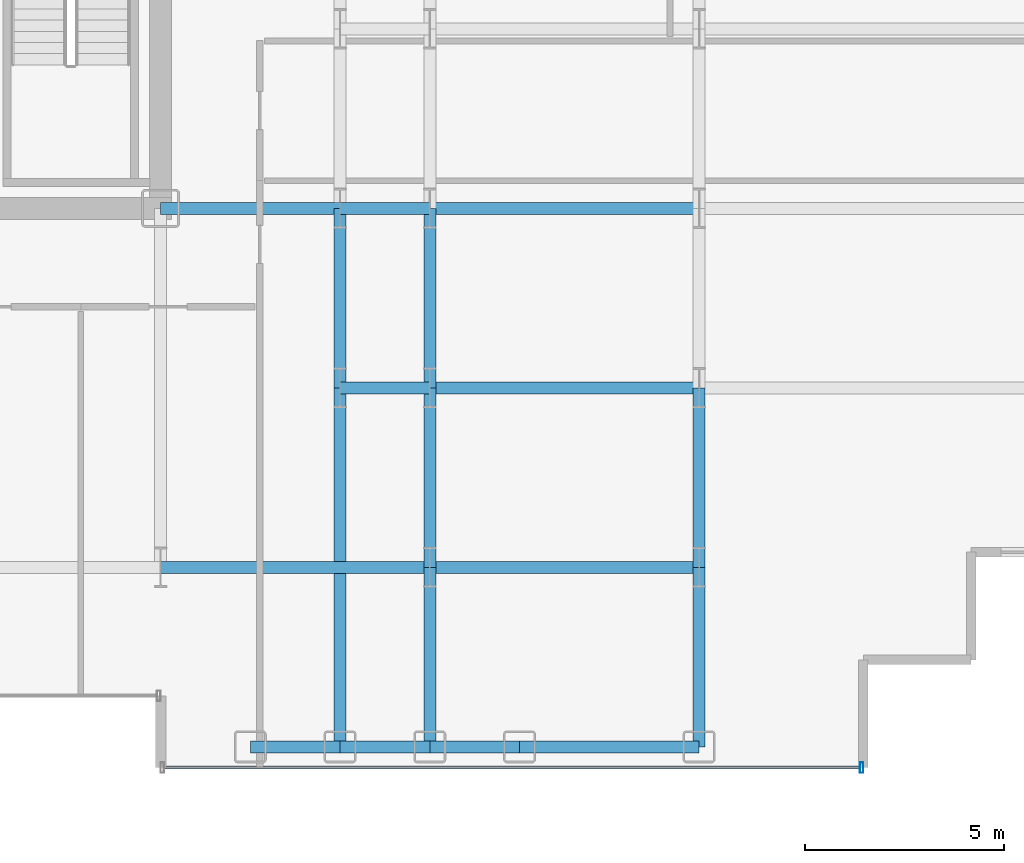
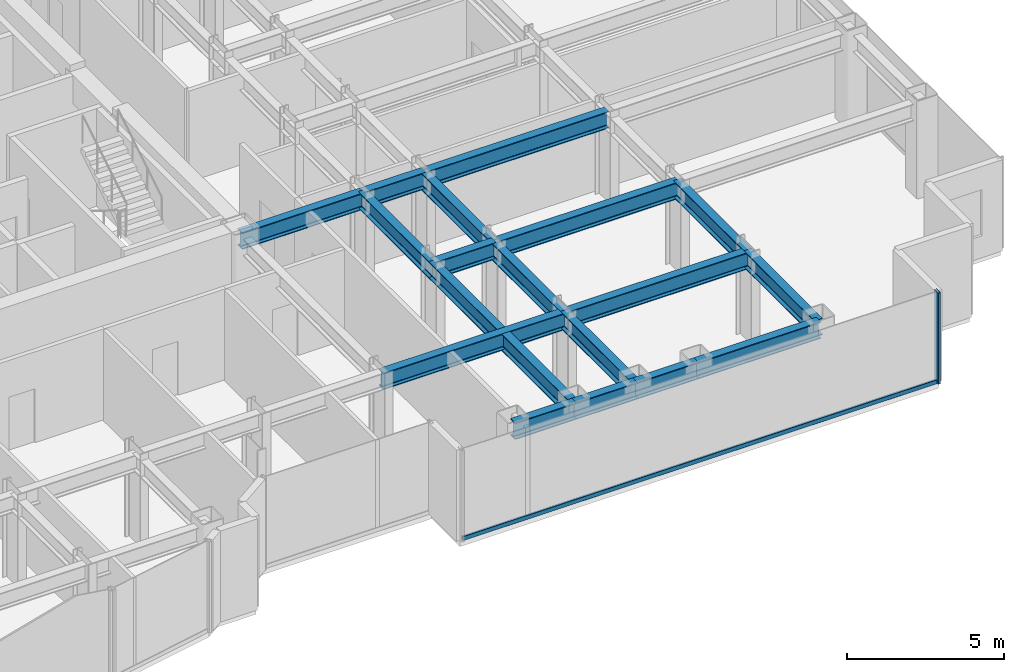
# One storey, part 7 of 26: 18 beams, 2 members, 1 element without a shape of its own.
"""IFC4 building model written with IfcOpenShell, lengths in metres."""

from ifc_helpers import new_model, si_unit, direction, frame, origin, origin_2d, place, context, subcontext, project, spatial, hollow_rectangle, i_section, extrude, source, transform, mapped, material, layer, layer_set, material_profile, profile_set, type_object, element, aggregate, save


model = new_model("IFC4")

# Units and contexts
model_context = context("Model", 3, precision=1e-05, world=origin(), true_north=direction((0.0, 1.0)))
body_context = subcontext(model_context, "Body", "Model", "MODEL_VIEW")
ifc_project = project(units=[si_unit("LENGTHUNIT", "METRE"), si_unit("AREAUNIT", "SQUARE_METRE"), si_unit("VOLUMEUNIT", "CUBIC_METRE"), si_unit("PLANEANGLEUNIT", "RADIAN"), si_unit("MASSUNIT", "GRAM", prefix="KILO")], contexts=[model_context])

# Site, building, storey
site_placement = place(None, origin())
site = spatial("IfcSite", under=ifc_project, at=site_placement, CompositionType="ELEMENT")
building_placement = place(site_placement, origin())
building = spatial("IfcBuilding", under=site, at=building_placement, Name="Nefas-Gora Pilgrimage Tower", CompositionType="ELEMENT")
storey_placement = place(building_placement, frame((0.0, 0.0, 132.60009765625)))
storey = spatial("IfcBuildingStorey", under=building, at=storey_placement, Name="L32", CompositionType="ELEMENT", Elevation=132.60009765625)

# Beams
ifc_material_1 = material(Name="Steel S355", Category="steel")
ifc_material_profile_1 = material_profile(ifc_material_1, i_section(OverallWidth=0.300048828125, OverallDepth=0.64990234375, WebThickness=0.01611328125, FlangeThickness=0.031005859375, FilletRadius=0.027099609375, at=origin_2d()), Name="HEB 650")
ifc_profile_set_1 = profile_set([ifc_material_profile_1], Name="Steel S355")
beam_type_1 = type_object("IfcBeamType", Name="BM-SPN-HEB500", PredefinedType="SPANDREL", material=ifc_profile_set_1)
shared_shape_1 = source(origin(), body_context, "Body", "SweptSolid", [
    extrude(i_section(OverallWidth=0.300048828125, OverallDepth=0.64990234375, WebThickness=0.01611328125, FlangeThickness=0.031005859375, FilletRadius=0.027099609375, at=origin_2d()), origin(), (0.0, 0.0, 1.0), 4.5),
])
beam_1_placement = place(storey_placement, frame((20.25, -22.5, 3.224853515625), z_axis=(1.0, 0.0, 0.0), x_axis=(0.0, 1.0, 0.0)))
element("IfcBeam", 1, at=beam_1_placement, inside=storey, type_object=beam_type_1, Name="L32 SP-02 beam", PredefinedType="SPANDREL", context=body_context, shape_type="MappedRepresentation", body=[
    mapped(shared_shape_1, transform((0.0, 0.0, 0.0), x_axis=(1.0, 0.0, 0.0), y_axis=(0.0, 1.0, 0.0), z_axis=(0.0, 0.0, 1.0), scale=1.0)),
])
ifc_material_profile_2 = material_profile(ifc_material_1, i_section(OverallWidth=0.300048828125, OverallDepth=0.64990234375, WebThickness=0.01611328125, FlangeThickness=0.031005859375, FilletRadius=0.027099609375, at=origin_2d()), Name="HEB 650")
ifc_profile_set_2 = profile_set([ifc_material_profile_2], Name="Steel S355")
beam_type_2 = type_object("IfcBeamType", Name="BM-GIR-HEB650", PredefinedType="BEAM", material=ifc_profile_set_2)
shared_shape_2 = source(origin(), body_context, "Body", "SweptSolid", [
    extrude(i_section(OverallWidth=0.300048828125, OverallDepth=0.64990234375, WebThickness=0.01611328125, FlangeThickness=0.031005859375, FilletRadius=0.027099609375, at=origin_2d()), origin(), (0.0, 0.0, 1.0), 9.0),
])
beam_2_placement = place(storey_placement, frame((15.75, -22.5, 3.224853515625), z_axis=(0.0, 1.0, 0.0), x_axis=(-1.0, 0.0, 0.0)))
element("IfcBeam", 2, at=beam_2_placement, inside=storey, type_object=beam_type_2, Name="L32 G-03 beam", PredefinedType="BEAM", context=body_context, shape_type="MappedRepresentation", body=[
    mapped(shared_shape_2, transform((0.0, 0.0, 0.0), x_axis=(1.0, 0.0, 0.0), y_axis=(0.0, 1.0, 0.0), z_axis=(0.0, 0.0, 1.0), scale=1.0)),
])
shared_shape_3 = source(origin(), body_context, "Body", "SweptSolid", [
    extrude(i_section(OverallWidth=0.300048828125, OverallDepth=0.64990234375, WebThickness=0.01611328125, FlangeThickness=0.031005859375, FilletRadius=0.027099609375, at=origin_2d()), origin(), (0.0, 0.0, 1.0), 4.5),
])
for number, where, z_axis, x_axis, name in (
    (3, (11.25, -9.0, 3.224853515625), (1.0, 0.0, 0.0), (0.0, 1.0, 0.0), "L32 G-03 beam"),
    (4, (15.75, -13.5, 3.224853515625), (0.0, 1.0, 0.0), (-1.0, 0.0, 0.0), "L32 G-03 beam"),
    (5, (18.0, -22.5, 3.224853515625), (0.0, 1.0, 0.0), (-1.0, 0.0, 0.0), "L32 G-03 beam"),
    (6, (18.0, -18.0, 3.224853515625), (0.0, 1.0, 0.0), (-1.0, 0.0, 0.0), "L32 G-03 beam"),
    (7, (18.0, -13.5, 3.224853515625), (0.0, 1.0, 0.0), (-1.0, 0.0, 0.0), "L32 G-03 beam"),
    (8, (24.75, -22.5, 3.224853515625), (0.0, 1.0, 0.0), (-1.0, 0.0, 0.0), "L32 G-03 beam"),
    (9, (24.75, -18.0, 3.224853515625), (0.0, 1.0, 0.0), (-1.0, 0.0, 0.0), "L32 G-03 beam"),
):
    element("IfcBeam", number, at=place(storey_placement, frame(where, z_axis=z_axis, x_axis=x_axis)), inside=storey, type_object=beam_type_2, Name=name, PredefinedType="BEAM", context=body_context, shape_type="MappedRepresentation", body=[
        mapped(shared_shape_3, transform((0.0, 0.0, 0.0), x_axis=(1.0, 0.0, 0.0), y_axis=(0.0, 1.0, 0.0), z_axis=(0.0, 0.0, 1.0), scale=1.0)),
    ])
shared_shape_4 = source(origin(), body_context, "Body", "SweptSolid", [
    extrude(i_section(OverallWidth=0.300048828125, OverallDepth=0.64990234375, WebThickness=0.01611328125, FlangeThickness=0.031005859375, FilletRadius=0.027099609375, at=origin_2d()), origin(), (0.0, 0.0, 1.0), 6.75),
])
for number, where, z_axis, x_axis, name in (
    (10, (11.25, -18.0, 3.224853515625), (1.0, 0.0, 0.0), (0.0, 1.0, 0.0), "L32 G-03 beam"),
    (11, (18.0, -18.0, 3.224853515625), (1.0, 0.0, 0.0), (0.0, 1.0, 0.0), "L32 G-03 beam"),
    (12, (18.0, -13.5, 3.224853515625), (1.0, 0.0, 0.0), (0.0, 1.0, 0.0), "L32 G-03 beam"),
    (13, (18.0, -9.0, 3.224853515625), (1.0, 0.0, 0.0), (0.0, 1.0, 0.0), "L32 G-03 beam"),
):
    element("IfcBeam", number, at=place(storey_placement, frame(where, z_axis=z_axis, x_axis=x_axis)), inside=storey, type_object=beam_type_2, Name=name, PredefinedType="BEAM", context=body_context, shape_type="MappedRepresentation", body=[
        mapped(shared_shape_4, transform((0.0, 0.0, 0.0), x_axis=(1.0, 0.0, 0.0), y_axis=(0.0, 1.0, 0.0), z_axis=(0.0, 0.0, 1.0), scale=1.0)),
    ])
shared_shape_5 = source(origin(), body_context, "Body", "SweptSolid", [
    extrude(i_section(OverallWidth=0.300048828125, OverallDepth=0.64990234375, WebThickness=0.01611328125, FlangeThickness=0.031005859375, FilletRadius=0.027099609375, at=origin_2d()), origin(), (0.0, 0.0, 1.0), 2.25),
])
for number, where, z_axis, x_axis, name in (
    (14, (13.5, -22.5, 3.224853515625), (1.0, 0.0, 0.0), (0.0, 1.0, 0.0), "L32 SP-02 beam"),
    (15, (15.75, -22.5, 3.224853515625), (1.0, 0.0, 0.0), (0.0, 1.0, 0.0), "L32 SP-02 beam"),
    (16, (18.0, -22.5, 3.224853515625), (1.0, 0.0, 0.0), (0.0, 1.0, 0.0), "L32 SP-02 beam"),
):
    element("IfcBeam", number, at=place(storey_placement, frame(where, z_axis=z_axis, x_axis=x_axis)), inside=storey, type_object=beam_type_1, Name=name, PredefinedType="SPANDREL", context=body_context, shape_type="MappedRepresentation", body=[
        mapped(shared_shape_5, transform((0.0, 0.0, 0.0), x_axis=(1.0, 0.0, 0.0), y_axis=(0.0, 1.0, 0.0), z_axis=(0.0, 0.0, 1.0), scale=1.0)),
    ])
shared_shape_6 = source(origin(), body_context, "Body", "SweptSolid", [
    extrude(i_section(OverallWidth=0.300048828125, OverallDepth=0.64990234375, WebThickness=0.01611328125, FlangeThickness=0.031005859375, FilletRadius=0.027099609375, at=origin_2d()), origin(), (0.0, 0.0, 1.0), 2.25),
])
for number, where, z_axis, x_axis, name in (
    (17, (15.75, -13.5, 3.224853515625), (1.0, 0.0, 0.0), (0.0, 1.0, 0.0), "L32 G-03 beam"),
    (18, (15.75, -9.0, 3.224853515625), (1.0, 0.0, 0.0), (0.0, 1.0, 0.0), "L32 G-03 beam"),
):
    element("IfcBeam", number, at=place(storey_placement, frame(where, z_axis=z_axis, x_axis=x_axis)), inside=storey, type_object=beam_type_2, Name=name, PredefinedType="BEAM", context=body_context, shape_type="MappedRepresentation", body=[
        mapped(shared_shape_6, transform((0.0, 0.0, 0.0), x_axis=(1.0, 0.0, 0.0), y_axis=(0.0, 1.0, 0.0), z_axis=(0.0, 0.0, 1.0), scale=1.0)),
    ])

# Curtain wall, members
ifc_material_2 = material(Name="Dark ceramic-fritted solar-control aluminium-glass curtain wall", Category="aluminium")
ifc_layer = layer(ifc_material_2, 0.219970703125)
ifc_layer_set = layer_set([ifc_layer], Name="Dark ceramic-fritted solar-control aluminium-glass curtain wall")
curtain_wall_type = type_object("IfcCurtainWallType", Name="CW-SYS-2", PredefinedType="NOTDEFINED", material=ifc_layer_set)
curtain_wall_placement = place(storey_placement, origin())
curtain_wall = element("IfcCurtainWall", 19, at=curtain_wall_placement, inside=storey, type_object=curtain_wall_type, Name="L32 Unitised Curtain Wall CW2", PredefinedType="NOTDEFINED")
ifc_material_3 = material(Name="Anodised architectural aluminium", Category="aluminium")
ifc_material_profile_3 = material_profile(ifc_material_3, hollow_rectangle(XDim=0.080078125, YDim=0.159912109375, WallThickness=0.00439453125, InnerFilletRadius=0.00439453125, OuterFilletRadius=0.009033203125, at=origin_2d()), Name="ALU TRANSOM 80x160")
ifc_profile_set_3 = profile_set([ifc_material_profile_3], Name="Anodised architectural aluminium")
member_type_1 = type_object("IfcMemberType", Name="CWM-TRN-2", PredefinedType="USERDEFINED", material=ifc_profile_set_3)
shared_shape_7 = source(origin(), body_context, "Body", "SweptSolid", [
    extrude(hollow_rectangle(XDim=0.080078125, YDim=0.159912109375, WallThickness=0.00439453125, InnerFilletRadius=0.00439453125, OuterFilletRadius=0.009033203125, at=origin_2d()), origin(), (0.0, 0.0, 1.0), 17.43994140625),
])
member_1_placement = place(storey_placement, frame((11.340087890625, -23.02001953125, 0.0498046875), z_axis=(1.0, 0.0, 0.0), x_axis=(0.0, 1.0, 0.0)))
member_1 = element("IfcMember", 20, at=member_1_placement, type_object=member_type_1, Name="CW2 Spandrel Transom", ObjectType="TRANSOM", PredefinedType="USERDEFINED", context=body_context, shape_type="MappedRepresentation", body=[
    mapped(shared_shape_7, transform((0.0, 0.0, 0.0), x_axis=(1.0, 0.0, 0.0), y_axis=(0.0, 1.0, 0.0), z_axis=(0.0, 0.0, 1.0), scale=1.0)),
])
ifc_material_profile_4 = material_profile(ifc_material_3, hollow_rectangle(XDim=0.090087890625, YDim=0.260009765625, WallThickness=0.006103515625, InnerFilletRadius=0.006103515625, OuterFilletRadius=0.011962890625, at=origin_2d()), Name="ALU MULLION 90x260")
ifc_profile_set_4 = profile_set([ifc_material_profile_4], Name="Anodised architectural aluminium")
member_type_2 = type_object("IfcMemberType", Name="CWM-MUL-2", PredefinedType="MULLION", material=ifc_profile_set_4)
shared_shape_8 = source(origin(), body_context, "Body", "SweptSolid", [
    extrude(hollow_rectangle(XDim=0.090087890625, YDim=0.260009765625, WallThickness=0.006103515625, InnerFilletRadius=0.006103515625, OuterFilletRadius=0.011962890625, at=origin_2d()), origin(), (0.0, 0.0, 1.0), 3.5498046875),
])
member_2_placement = place(storey_placement, frame((28.824951171875, -23.02001953125, 0.0), z_axis=(0.0, 0.0, 1.0), x_axis=(1.0, 0.0, 0.0)))
member_2 = element("IfcMember", 21, at=member_2_placement, type_object=member_type_2, Name="CW2 Mullion 2", PredefinedType="MULLION", context=body_context, shape_type="MappedRepresentation", body=[
    mapped(shared_shape_8, transform((0.0, 0.0, 0.0), x_axis=(1.0, 0.0, 0.0), y_axis=(0.0, 1.0, 0.0), z_axis=(0.0, 0.0, 1.0), scale=1.0)),
])
aggregate(curtain_wall, [member_2, member_1])

save(model, "model.ifc")
